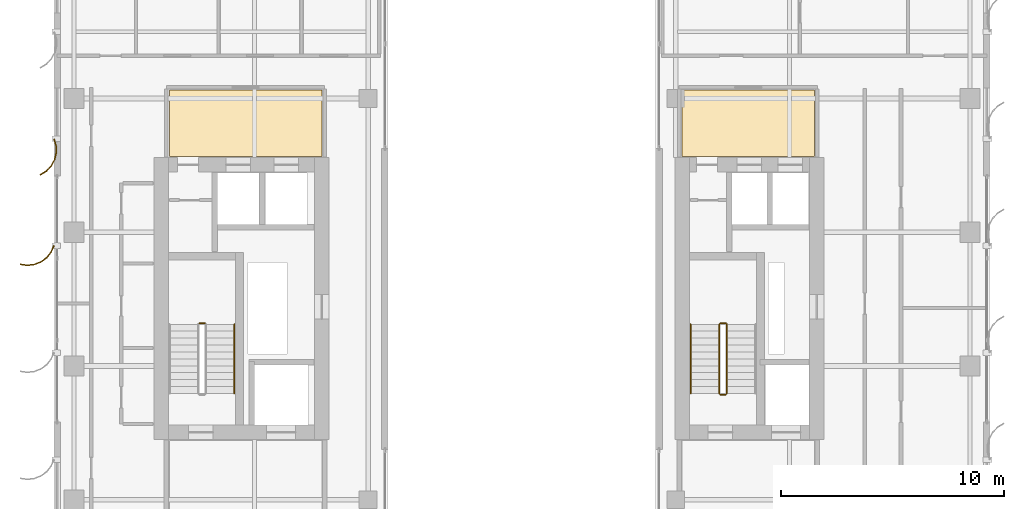
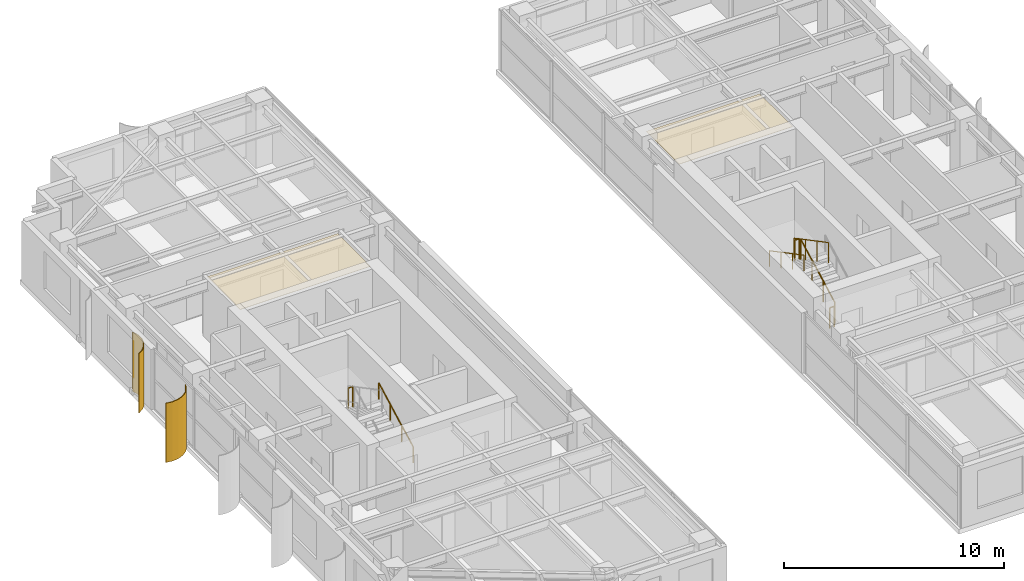
# One storey, part 21 of 22: 7 railings, 2 coverings, 2 shading devices.
"""IFC4 building model written with IfcOpenShell, lengths in metres."""

from ifc_helpers import new_model, si_unit, direction, frame, origin, origin_2d, place, context, subcontext, project, spatial, polyline, circle, outline, extrude, source, transform, mapped, material, layer, layer_set, type_object, element, save


model = new_model("IFC4")

# Units and contexts
model_context = context("Model", 3, precision=1e-05, world=origin(), true_north=direction((0.0, 1.0)))
body_context = subcontext(model_context, "Body", "Model", "MODEL_VIEW")
ifc_project = project(units=[si_unit("LENGTHUNIT", "METRE"), si_unit("AREAUNIT", "SQUARE_METRE"), si_unit("VOLUMEUNIT", "CUBIC_METRE"), si_unit("PLANEANGLEUNIT", "RADIAN"), si_unit("MASSUNIT", "GRAM", prefix="KILO")], contexts=[model_context])

# Site, building, storey
site_placement = place(None, origin())
site = spatial("IfcSite", under=ifc_project, at=site_placement, CompositionType="ELEMENT")
building_placement = place(site_placement, origin())
building = spatial("IfcBuilding", under=site, at=building_placement, Name="Khoralis Quay Care Tower", CompositionType="ELEMENT")
storey_placement = place(building_placement, frame((0.0, 0.0, 188.10009765625)))
storey = spatial("IfcBuildingStorey", under=building, at=storey_placement, Name="L49", CompositionType="ELEMENT", Elevation=188.10009765625)

# Coverings
ifc_material_1 = material(Name="Mineral-fibre acoustic ceiling tile")
ifc_layer_1 = layer(ifc_material_1, 0.01806640625)
ifc_layer_set_1 = layer_set([ifc_layer_1], Name="Mineral-fibre acoustic ceiling tile")
covering_type = type_object("IfcCoveringType", Name="COV-CEIL-AC18", PredefinedType="CEILING", material=ifc_layer_set_1)
covering_1_placement = place(storey_placement, frame((0.0, 0.0, 3.19189453125)))
element("IfcCovering", 1, at=covering_1_placement, inside=storey, type_object=covering_type, Name="Suspended Acoustic Ceiling SP-L49-LLOB-W", PredefinedType="CEILING", context=body_context, shape_type="SweptSolid", body=[
    extrude(outline(polyline([(8.179931640625, 27.39990234375), (15.02001953125, 27.39990234375), (15.02001953125, 30.389892578125), (8.179931640625, 30.389892578125), (8.179931640625, 27.39990234375)])), origin(), (0.0, 0.0, 1.0), 0.01806640625),
])
covering_2_placement = place(storey_placement, frame((0.0, 0.0, 3.19189453125)))
element("IfcCovering", 2, at=covering_2_placement, inside=storey, type_object=covering_type, Name="Suspended Acoustic Ceiling SP-L49-LLOB-E", PredefinedType="CEILING", context=body_context, shape_type="SweptSolid", body=[
    extrude(outline(polyline([(31.179931640625, 27.39990234375), (37.1201171875, 27.39990234375), (37.1201171875, 30.389892578125), (31.179931640625, 30.389892578125), (31.179931640625, 27.39990234375)])), origin(), (0.0, 0.0, 1.0), 0.01806640625),
])

# Railings
ifc_material_2 = material(Name="Brushed stainless steel", Category="steel")
railing_type_1 = type_object("IfcRailingType", Name="RL-GUARD-1150", PredefinedType="GUARDRAIL", material=ifc_material_2)
railing_1_placement = place(storey_placement, frame((9.77001953125, 19.919921875, 1.7998046875)))
element("IfcRailing", 3, at=railing_1_placement, inside=storey, type_object=railing_type_1, Name="L49 ST-T1 stair guard 2", PredefinedType="GUARDRAIL", context=body_context, shape_type="SweptSolid", body=[
    extrude(circle(Radius=0.02392578125, at=origin_2d()), frame((0.0, 0.0, 1.1259765625), z_axis=(-1.0, 0.0, 0.0), x_axis=(0.0, -1.0, 0.0)), (0.0, 0.0, 1.0), 0.239990234375),
    extrude(circle(Radius=0.02099609375, at=origin_2d()), origin(), (0.0, 0.0, 1.0), 1.101806640625),
    extrude(circle(Radius=0.02099609375, at=origin_2d()), frame((-0.239990234375, 0.0, 0.0)), (0.0, 0.0, 1.0), 1.101806640625),
])
railing_2_placement = place(storey_placement, frame((33.18994140625, 16.77001953125, 0.16357421875)))
element("IfcRailing", 4, at=railing_2_placement, inside=storey, type_object=railing_type_1, Name="L49 ST-T2 stair guard 1", PredefinedType="GUARDRAIL", context=body_context, shape_type="SweptSolid", body=[
    extrude(circle(Radius=0.02392578125, at=origin_2d()), frame((0.0, 0.0, 1.1259765625), z_axis=(0.0, 0.884376766648, 0.46677375099), x_axis=(-1.0, 0.0, 0.0)), (0.0, 0.0, 1.0), 3.50537109375),
    extrude(circle(Radius=0.02099609375, at=origin_2d()), origin(), (0.0, 0.0, 1.0), 1.101806640625),
    extrude(circle(Radius=0.02099609375, at=origin_2d()), frame((0.0, 1.033447265625, 0.54541015625)), (0.0, 0.0, 1.0), 1.101806640625),
    extrude(circle(Radius=0.02099609375, at=origin_2d()), frame((0.0, 2.066650390625, 1.0908203125)), (0.0, 0.0, 1.0), 1.101806640625),
    extrude(circle(Radius=0.02099609375, at=origin_2d()), frame((0.0, 3.10009765625, 1.63623046875)), (0.0, 0.0, 1.0), 1.101806640625),
])
railing_3_placement = place(storey_placement, frame((33.139892578125, 19.919921875, 1.7998046875)))
element("IfcRailing", 5, at=railing_3_placement, inside=storey, type_object=railing_type_1, Name="L49 ST-T2 stair guard 2", PredefinedType="GUARDRAIL", context=body_context, shape_type="SweptSolid", body=[
    extrude(circle(Radius=0.02392578125, at=origin_2d()), frame((0.0, 0.0, 1.1259765625), z_axis=(-1.0, 0.0, 0.0), x_axis=(0.0, -1.0, 0.0)), (0.0, 0.0, 1.0), 0.239990234375),
    extrude(circle(Radius=0.02099609375, at=origin_2d()), origin(), (0.0, 0.0, 1.0), 1.101806640625),
    extrude(circle(Radius=0.02099609375, at=origin_2d()), frame((-0.239990234375, 0.0, 0.0)), (0.0, 0.0, 1.0), 1.101806640625),
])
railing_4_placement = place(storey_placement, frame((32.85009765625, 19.8701171875, 1.963623046875)))
element("IfcRailing", 6, at=railing_4_placement, inside=storey, type_object=railing_type_1, Name="L49 ST-T2 stair guard 3", PredefinedType="GUARDRAIL", context=body_context, shape_type="SweptSolid", body=[
    extrude(circle(Radius=0.02392578125, at=origin_2d()), frame((0.0, 0.0, 1.1259765625), z_axis=(0.0, -0.884376766648, 0.46677375099), x_axis=(1.0, 0.0, 0.0)), (0.0, 0.0, 1.0), 3.50537109375),
    extrude(circle(Radius=0.02099609375, at=origin_2d()), origin(), (0.0, 0.0, 1.0), 1.101806640625),
    extrude(circle(Radius=0.02099609375, at=origin_2d()), frame((0.0, -1.033447265625, 0.54541015625)), (0.0, 0.0, 1.0), 1.101806640625),
    extrude(circle(Radius=0.02099609375, at=origin_2d()), frame((0.0, -2.066650390625, 1.0908203125)), (0.0, 0.0, 1.0), 1.101806640625),
    extrude(circle(Radius=0.02099609375, at=origin_2d()), frame((0.0, -3.10009765625, 1.63623046875)), (0.0, 0.0, 1.0), 1.101806640625),
])
railing_5_placement = place(storey_placement, frame((33.139892578125, 16.719970703125, 0.0)))
element("IfcRailing", 7, at=railing_5_placement, inside=storey, type_object=railing_type_1, Name="L49 ST-T2 stair guard 4", PredefinedType="GUARDRAIL", context=body_context, shape_type="SweptSolid", body=[
    extrude(circle(Radius=0.02392578125, at=origin_2d()), frame((0.0, 0.0, 1.1259765625), z_axis=(-1.0, 0.0, 0.0), x_axis=(0.0, -1.0, 0.0)), (0.0, 0.0, 1.0), 0.239990234375),
    extrude(circle(Radius=0.02099609375, at=origin_2d()), origin(), (0.0, 0.0, 1.0), 1.101806640625),
    extrude(circle(Radius=0.02099609375, at=origin_2d()), frame((-0.239990234375, 0.0, 0.0)), (0.0, 0.0, 1.0), 1.101806640625),
])
railing_type_2 = type_object("IfcRailingType", Name="RL-HAND-900", PredefinedType="HANDRAIL", material=ifc_material_2)
railing_6_placement = place(storey_placement, frame((11.10009765625, 16.77001953125, 0.16357421875)))
element("IfcRailing", 8, at=railing_6_placement, inside=storey, type_object=railing_type_2, Name="L49 ST-T1 stair handrail 1", PredefinedType="HANDRAIL", context=body_context, shape_type="SweptSolid", body=[
    extrude(circle(Radius=0.02392578125, at=origin_2d()), frame((0.0, 0.0, 0.8759765625), z_axis=(0.0, 0.884376766648, 0.46677375099), x_axis=(-1.0, 0.0, 0.0)), (0.0, 0.0, 1.0), 3.50537109375),
    extrude(circle(Radius=0.02099609375, at=origin_2d()), origin(), (0.0, 0.0, 1.0), 0.851806640625),
    extrude(circle(Radius=0.02099609375, at=origin_2d()), frame((0.0, 1.033447265625, 0.54541015625)), (0.0, 0.0, 1.0), 0.851806640625),
    extrude(circle(Radius=0.02099609375, at=origin_2d()), frame((0.0, 2.066650390625, 1.0908203125)), (0.0, 0.0, 1.0), 0.851806640625),
    extrude(circle(Radius=0.02099609375, at=origin_2d()), frame((0.0, 3.10009765625, 1.63623046875)), (0.0, 0.0, 1.0), 0.851806640625),
])
railing_7_placement = place(storey_placement, frame((31.570068359375, 19.8701171875, 1.963623046875)))
element("IfcRailing", 9, at=railing_7_placement, inside=storey, type_object=railing_type_2, Name="L49 ST-T2 stair handrail 2", PredefinedType="HANDRAIL", context=body_context, shape_type="SweptSolid", body=[
    extrude(circle(Radius=0.02392578125, at=origin_2d()), frame((0.0, 0.0, 0.8759765625), z_axis=(0.0, -0.884376766648, 0.46677375099), x_axis=(1.0, 0.0, 0.0)), (0.0, 0.0, 1.0), 3.50537109375),
    extrude(circle(Radius=0.02099609375, at=origin_2d()), origin(), (0.0, 0.0, 1.0), 0.851806640625),
    extrude(circle(Radius=0.02099609375, at=origin_2d()), frame((0.0, -1.033447265625, 0.54541015625)), (0.0, 0.0, 1.0), 0.851806640625),
    extrude(circle(Radius=0.02099609375, at=origin_2d()), frame((0.0, -2.066650390625, 1.0908203125)), (0.0, 0.0, 1.0), 0.851806640625),
    extrude(circle(Radius=0.02099609375, at=origin_2d()), frame((0.0, -3.10009765625, 1.63623046875)), (0.0, 0.0, 1.0), 0.851806640625),
])

# Shading devices
ifc_material_3 = material(Name="Brushed pale anodised aluminium", Category="aluminium")
ifc_layer_2 = layer(ifc_material_3, 0.044921875)
ifc_layer_set_2 = layer_set([ifc_layer_2], Name="Brushed pale anodised aluminium")
shading_device_type = type_object("IfcShadingDeviceType", Name="SHD-FIN-1250", PredefinedType="USERDEFINED", material=ifc_layer_set_2)
shared_shape_1 = source(origin(), body_context, "Body", "SweptSolid", [
    extrude(outline(polyline([(0.0, 0.0), (-0.0927734375, 0.31298828125), (-0.101318359375, 0.63916015625), (-0.025146484375, 0.956298828125), (0.130615234375, 1.2431640625), (0.355224609375, 1.479736328125), (0.633544921875, 1.650390625), (0.65185546875, 1.609130859375), (0.383544921875, 1.44482421875), (0.1669921875, 1.216796875), (0.01708984375, 0.940185546875), (-0.056396484375, 0.63427734375), (-0.04833984375, 0.31982421875), (0.041015625, 0.018310546875), (0.0, 0.0)])), origin(), (0.0, 0.0, 1.0), 3.27978515625),
])
shading_device_1_placement = place(storey_placement, frame((3.030029296875, 28.199951171875, 0.02001953125), z_axis=(0.0, 0.0, 1.0), x_axis=(-1.0, 0.0, 0.0)))
element("IfcShadingDevice", 10, at=shading_device_1_placement, inside=storey, type_object=shading_device_type, Name="L49 Curved Solar Fin P1E7-02", ObjectType="FIN", PredefinedType="USERDEFINED", context=body_context, shape_type="MappedRepresentation", body=[
    mapped(shared_shape_1, transform((0.0, 0.0, 0.0), scale=1.0)),
])
shared_shape_2 = source(origin(), body_context, "Body", "SweptSolid", [
    extrude(outline(polyline([(0.0, 0.0), (0.130126953125, 0.29931640625), (0.333251953125, 0.5546875), (0.595458984375, 0.748779296875), (0.899169921875, 0.868408203125), (1.223388671875, 0.9052734375), (1.546142578125, 0.85693359375), (1.53369140625, 0.813720703125), (1.22265625, 0.8603515625), (0.91015625, 0.82470703125), (0.617431640625, 0.70947265625), (0.364501953125, 0.522216796875), (0.168701171875, 0.276123046875), (0.043212890625, -0.012451171875), (0.0, 0.0)])), origin(), (0.0, 0.0, 1.0), 3.27978515625),
])
shading_device_2_placement = place(storey_placement, frame((3.030029296875, 23.39990234375, 0.02001953125), z_axis=(0.0, 0.0, 1.0), x_axis=(-1.0, 0.0, 0.0)))
element("IfcShadingDevice", 11, at=shading_device_2_placement, inside=storey, type_object=shading_device_type, Name="L49 Curved Solar Fin P1E7-03", ObjectType="FIN", PredefinedType="USERDEFINED", context=body_context, shape_type="MappedRepresentation", body=[
    mapped(shared_shape_2, transform((0.0, 0.0, 0.0), scale=1.0)),
])

save(model, "model.ifc")
